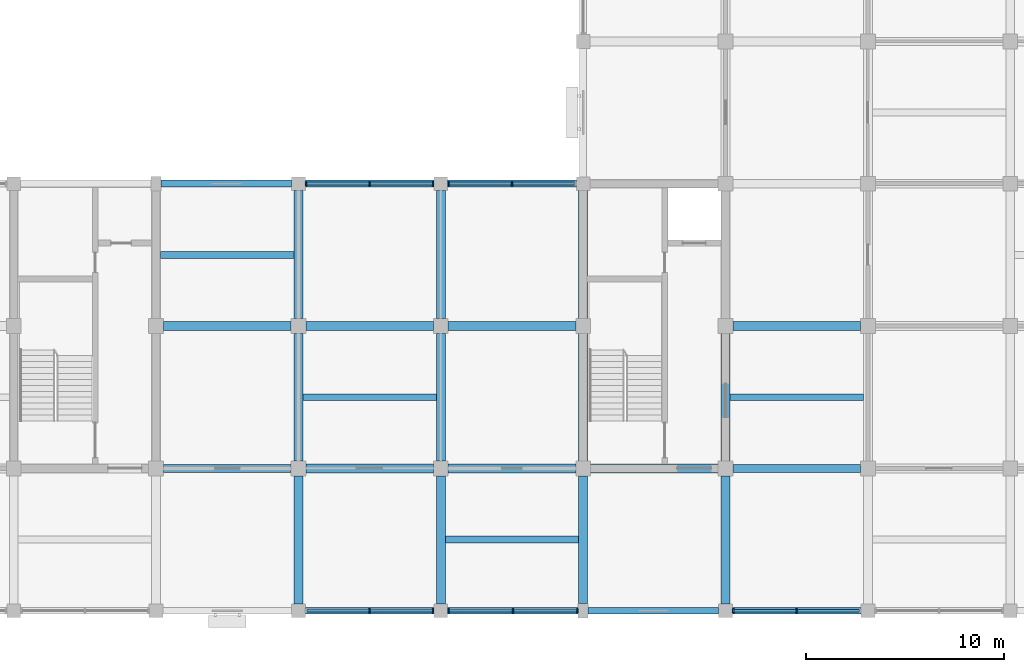
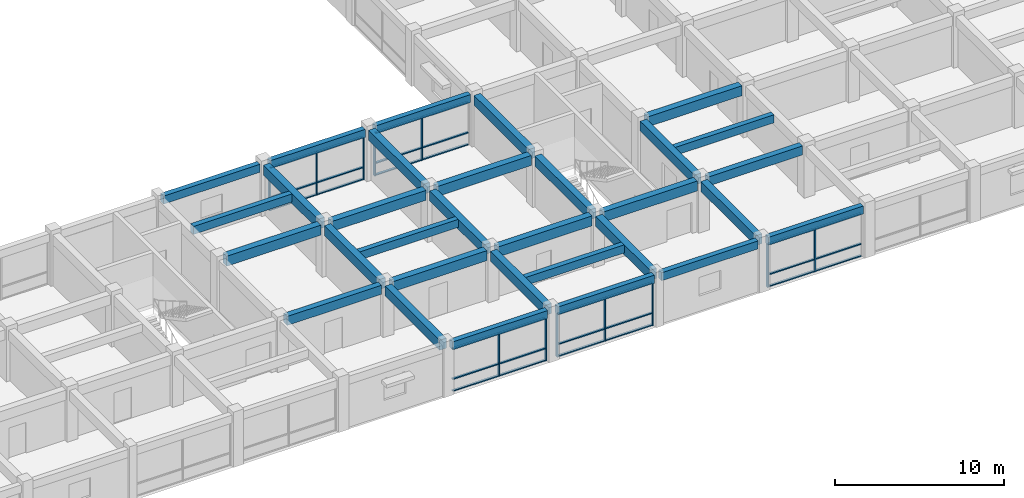
# One storey, part 4 of 25: 42 members, 31 beams, 5 elements without a shape of their own.
"""IFC4 building model written with IfcOpenShell, lengths in metres."""

from ifc_helpers import new_model, si_unit, direction, frame, origin, origin_2d, place, context, subcontext, project, spatial, rectangle, extrude, material, layer, layer_set, material_profile, profile_set, type_object, element, aggregate, save


model = new_model("IFC4")

# Units and contexts
model_context = context("Model", 3, precision=1e-05, world=origin(), true_north=direction((0.0, 1.0)))
body_context = subcontext(model_context, "Body", "Model", "MODEL_VIEW")
ifc_project = project(units=[si_unit("LENGTHUNIT", "METRE"), si_unit("AREAUNIT", "SQUARE_METRE"), si_unit("VOLUMEUNIT", "CUBIC_METRE"), si_unit("PLANEANGLEUNIT", "RADIAN"), si_unit("MASSUNIT", "GRAM", prefix="KILO")], contexts=[model_context])

# Site, building, storey
site_placement = place(None, origin())
site = spatial("IfcSite", under=ifc_project, at=site_placement, CompositionType="ELEMENT")
building_placement = place(site_placement, origin())
building = spatial("IfcBuilding", under=site, at=building_placement, Name="Cendaluz Park School", CompositionType="ELEMENT")
storey_placement = place(building_placement, frame((0.0, 0.0, 18.60009765625)))
storey = spatial("IfcBuildingStorey", under=building, at=storey_placement, Name="L04", CompositionType="ELEMENT", Elevation=18.60009765625)

# Beams
ifc_material_1 = material(Name="Concrete C40/50", Category="concrete")
ifc_material_profile_1 = material_profile(ifc_material_1, rectangle(XDim=0.449951171875, YDim=0.719970703125, at=origin_2d()), Name="RC 450x720", Category="concrete")
ifc_profile_set_1 = profile_set([ifc_material_profile_1], Name="Concrete C40/50")
beam_type_1 = type_object("IfcBeamType", Name="BM-RC02", PredefinedType="BEAM", material=ifc_profile_set_1)
beam_1_placement = place(storey_placement, frame((43.574951171875, 21.60009765625, 3.329833984375), z_axis=(1.0, 0.0, 0.0), x_axis=(0.0, 1.0, 0.0)))
element("IfcBeam", 1, at=beam_1_placement, inside=storey, type_object=beam_type_1, Name="BM-L04-BMRC02-0018", PredefinedType="BEAM", context=body_context, shape_type="SweptSolid", body=[
    extrude(rectangle(XDim=0.449951171875, YDim=0.719970703125, at=origin_2d()), origin(), (0.0, 0.0, 1.0), 6.449951171875),
])
for number, where, z_axis, x_axis, name in (
    (2, (50.77490234375, 14.39990234375, 3.329833984375), (1.0, 0.0, 0.0), (0.0, 1.0, 0.0), "BM-L04-BMRC02-0021"),
    (3, (50.77490234375, 21.60009765625, 3.329833984375), (1.0, 0.0, 0.0), (0.0, 1.0, 0.0), "BM-L04-BMRC02-0022"),
):
    element("IfcBeam", number, at=place(storey_placement, frame(where, z_axis=z_axis, x_axis=x_axis)), inside=storey, type_object=beam_type_1, Name=name, PredefinedType="BEAM", context=body_context, shape_type="SweptSolid", body=[
        extrude(rectangle(XDim=0.449951171875, YDim=0.719970703125, at=origin_2d()), origin(), (0.0, 0.0, 1.0), 6.4501953125),
    ])
for number, where, z_axis, x_axis, name in (
    (4, (57.97509765625, 14.39990234375, 3.329833984375), (1.0, 0.0, 0.0), (0.0, 1.0, 0.0), "BM-L04-BMRC02-0025"),
    (5, (57.97509765625, 21.60009765625, 3.329833984375), (1.0, 0.0, 0.0), (0.0, 1.0, 0.0), "BM-L04-BMRC02-0026"),
    (6, (65.175048828125, 14.39990234375, 3.329833984375), (1.0, 0.0, 0.0), (0.0, 1.0, 0.0), "BM-L04-BMRC02-0029"),
    (7, (72.375, 21.60009765625, 3.329833984375), (1.0, 0.0, 0.0), (0.0, 1.0, 0.0), "BM-L04-BMRC02-0038"),
):
    element("IfcBeam", number, at=place(storey_placement, frame(where, z_axis=z_axis, x_axis=x_axis)), inside=storey, type_object=beam_type_1, Name=name, PredefinedType="BEAM", context=body_context, shape_type="SweptSolid", body=[
        extrude(rectangle(XDim=0.449951171875, YDim=0.719970703125, at=origin_2d()), origin(), (0.0, 0.0, 1.0), 6.449951171875),
    ])
beam_2_placement = place(storey_placement, frame((50.39990234375, 7.550048828125, 3.329833984375), z_axis=(0.0, 1.0, 0.0), x_axis=(-1.0, 0.0, 0.0)))
element("IfcBeam", 8, at=beam_2_placement, inside=storey, type_object=beam_type_1, Name="BM-L04-BMRC02-0126", PredefinedType="BEAM", context=body_context, shape_type="SweptSolid", body=[
    extrude(rectangle(XDim=0.449951171875, YDim=0.719970703125, at=origin_2d()), origin(), (0.0, 0.0, 1.0), 6.474853515625),
])
beam_3_placement = place(storey_placement, frame((50.39990234375, 14.77490234375, 3.329833984375), z_axis=(0.0, 1.0, 0.0), x_axis=(-1.0, 0.0, 0.0)))
element("IfcBeam", 9, at=beam_3_placement, inside=storey, type_object=beam_type_1, Name="BM-L04-BMRC02-0127", PredefinedType="BEAM", context=body_context, shape_type="SweptSolid", body=[
    extrude(rectangle(XDim=0.449951171875, YDim=0.719970703125, at=origin_2d()), origin(), (0.0, 0.0, 1.0), 6.4501953125),
])
for number, where, z_axis, x_axis, name in (
    (10, (50.39990234375, 21.97509765625, 3.329833984375), (0.0, 1.0, 0.0), (-1.0, 0.0, 0.0), "BM-L04-BMRC02-0128"),
    (11, (57.60009765625, 7.550048828125, 3.329833984375), (0.0, 1.0, 0.0), (-1.0, 0.0, 0.0), "BM-L04-BMRC02-0129"),
):
    element("IfcBeam", number, at=place(storey_placement, frame(where, z_axis=z_axis, x_axis=x_axis)), inside=storey, type_object=beam_type_1, Name=name, PredefinedType="BEAM", context=body_context, shape_type="SweptSolid", body=[
        extrude(rectangle(XDim=0.449951171875, YDim=0.719970703125, at=origin_2d()), origin(), (0.0, 0.0, 1.0), 6.474853515625),
    ])
beam_4_placement = place(storey_placement, frame((57.60009765625, 14.77490234375, 3.329833984375), z_axis=(0.0, 1.0, 0.0), x_axis=(-1.0, 0.0, 0.0)))
element("IfcBeam", 12, at=beam_4_placement, inside=storey, type_object=beam_type_1, Name="BM-L04-BMRC02-0130", PredefinedType="BEAM", context=body_context, shape_type="SweptSolid", body=[
    extrude(rectangle(XDim=0.449951171875, YDim=0.719970703125, at=origin_2d()), origin(), (0.0, 0.0, 1.0), 6.4501953125),
])
beam_5_placement = place(storey_placement, frame((57.60009765625, 21.97509765625, 3.329833984375), z_axis=(0.0, 1.0, 0.0), x_axis=(-1.0, 0.0, 0.0)))
element("IfcBeam", 13, at=beam_5_placement, inside=storey, type_object=beam_type_1, Name="BM-L04-BMRC02-0131", PredefinedType="BEAM", context=body_context, shape_type="SweptSolid", body=[
    extrude(rectangle(XDim=0.449951171875, YDim=0.719970703125, at=origin_2d()), origin(), (0.0, 0.0, 1.0), 6.474853515625),
])
beam_6_placement = place(storey_placement, frame((64.800048828125, 7.574951171875, 3.329833984375), z_axis=(0.0, 1.0, 0.0), x_axis=(-1.0, 0.0, 0.0)))
element("IfcBeam", 14, at=beam_6_placement, inside=storey, type_object=beam_type_1, Name="BM-L04-BMRC02-0132", PredefinedType="BEAM", context=body_context, shape_type="SweptSolid", body=[
    extrude(rectangle(XDim=0.449951171875, YDim=0.719970703125, at=origin_2d()), origin(), (0.0, 0.0, 1.0), 6.449951171875),
])
beam_7_placement = place(storey_placement, frame((64.800048828125, 14.77490234375, 3.329833984375), z_axis=(0.0, 1.0, 0.0), x_axis=(-1.0, 0.0, 0.0)))
element("IfcBeam", 15, at=beam_7_placement, inside=storey, type_object=beam_type_1, Name="BM-L04-BMRC02-0133", PredefinedType="BEAM", context=body_context, shape_type="SweptSolid", body=[
    extrude(rectangle(XDim=0.449951171875, YDim=0.719970703125, at=origin_2d()), origin(), (0.0, 0.0, 1.0), 6.4501953125),
])
for number, where, z_axis, x_axis, name in (
    (16, (64.800048828125, 21.97509765625, 3.329833984375), (0.0, 1.0, 0.0), (-1.0, 0.0, 0.0), "BM-L04-BMRC02-0134"),
    (17, (72.0, 7.550048828125, 3.329833984375), (0.0, 1.0, 0.0), (-1.0, 0.0, 0.0), "BM-L04-BMRC02-0141"),
):
    element("IfcBeam", number, at=place(storey_placement, frame(where, z_axis=z_axis, x_axis=x_axis)), inside=storey, type_object=beam_type_1, Name=name, PredefinedType="BEAM", context=body_context, shape_type="SweptSolid", body=[
        extrude(rectangle(XDim=0.449951171875, YDim=0.719970703125, at=origin_2d()), origin(), (0.0, 0.0, 1.0), 6.474853515625),
    ])
beam_8_placement = place(storey_placement, frame((72.0, 14.77490234375, 3.329833984375), z_axis=(0.0, 1.0, 0.0), x_axis=(-1.0, 0.0, 0.0)))
element("IfcBeam", 18, at=beam_8_placement, inside=storey, type_object=beam_type_1, Name="BM-L04-BMRC02-0142", PredefinedType="BEAM", context=body_context, shape_type="SweptSolid", body=[
    extrude(rectangle(XDim=0.449951171875, YDim=0.719970703125, at=origin_2d()), origin(), (0.0, 0.0, 1.0), 6.4501953125),
])
ifc_material_profile_2 = material_profile(ifc_material_1, rectangle(XDim=0.39990234375, YDim=0.64990234375, at=origin_2d()), Name="RC 400x650", Category="concrete")
ifc_profile_set_2 = profile_set([ifc_material_profile_2], Name="Concrete C40/50")
beam_type_2 = type_object("IfcBeamType", Name="BM-RC03", PredefinedType="T_BEAM", material=ifc_profile_set_2)
for number, where, z_axis, x_axis, name in (
    (19, (43.574951171875, 14.39990234375, 3.364990234375), (1.0, 0.0, 0.0), (0.0, 1.0, 0.0), "BM-L04-BMRC03-0017"),
    (20, (72.375, 14.39990234375, 3.364990234375), (1.0, 0.0, 0.0), (0.0, 1.0, 0.0), "BM-L04-BMRC03-0037"),
):
    element("IfcBeam", number, at=place(storey_placement, frame(where, z_axis=z_axis, x_axis=x_axis)), inside=storey, type_object=beam_type_2, Name=name, PredefinedType="T_BEAM", context=body_context, shape_type="SweptSolid", body=[
        extrude(rectangle(XDim=0.39990234375, YDim=0.64990234375, at=origin_2d()), origin(), (0.0, 0.0, 1.0), 6.449951171875),
    ])
ifc_material_profile_3 = material_profile(ifc_material_1, rectangle(XDim=0.35009765625, YDim=0.580078125, at=origin_2d()), Name="RC 350x580", Category="concrete")
ifc_profile_set_3 = profile_set([ifc_material_profile_3], Name="Concrete C40/50")
beam_type_3 = type_object("IfcBeamType", Name="BM-RC04", PredefinedType="LINTEL", material=ifc_profile_set_3)
beam_9_placement = place(storey_placement, frame((43.449951171875, 28.800048828125, 3.39990234375), z_axis=(1.0, 0.0, 0.0), x_axis=(0.0, 1.0, 0.0)))
element("IfcBeam", 21, at=beam_9_placement, inside=storey, type_object=beam_type_3, Name="BM-L04-BMRC04-0019", PredefinedType="LINTEL", context=body_context, shape_type="SweptSolid", body=[
    extrude(rectangle(XDim=0.35009765625, YDim=0.580078125, at=origin_2d()), origin(), (0.0, 0.0, 1.0), 6.60009765625),
])
for number, where, z_axis, x_axis, name in (
    (22, (50.75, 7.199951171875, 3.39990234375), (1.0, 0.0, 0.0), (0.0, 1.0, 0.0), "BM-L04-BMRC04-0020"),
    (23, (50.75, 28.800048828125, 3.39990234375), (1.0, 0.0, 0.0), (0.0, 1.0, 0.0), "BM-L04-BMRC04-0023"),
):
    element("IfcBeam", number, at=place(storey_placement, frame(where, z_axis=z_axis, x_axis=x_axis)), inside=storey, type_object=beam_type_3, Name=name, PredefinedType="LINTEL", context=body_context, shape_type="SweptSolid", body=[
        extrude(rectangle(XDim=0.35009765625, YDim=0.580078125, at=origin_2d()), origin(), (0.0, 0.0, 1.0), 6.5),
    ])
beam_10_placement = place(storey_placement, frame((57.949951171875, 7.199951171875, 3.39990234375), z_axis=(1.0, 0.0, 0.0), x_axis=(0.0, 1.0, 0.0)))
element("IfcBeam", 24, at=beam_10_placement, inside=storey, type_object=beam_type_3, Name="BM-L04-BMRC04-0024", PredefinedType="LINTEL", context=body_context, shape_type="SweptSolid", body=[
    extrude(rectangle(XDim=0.35009765625, YDim=0.580078125, at=origin_2d()), origin(), (0.0, 0.0, 1.0), 6.60009765625),
])
beam_11_placement = place(storey_placement, frame((57.949951171875, 28.800048828125, 3.39990234375), z_axis=(1.0, 0.0, 0.0), x_axis=(0.0, 1.0, 0.0)))
element("IfcBeam", 25, at=beam_11_placement, inside=storey, type_object=beam_type_3, Name="BM-L04-BMRC04-0027", PredefinedType="LINTEL", context=body_context, shape_type="SweptSolid", body=[
    extrude(rectangle(XDim=0.35009765625, YDim=0.580078125, at=origin_2d()), origin(), (0.0, 0.0, 1.0), 6.5),
])
beam_12_placement = place(storey_placement, frame((65.050048828125, 7.199951171875, 3.39990234375), z_axis=(1.0, 0.0, 0.0), x_axis=(0.0, 1.0, 0.0)))
element("IfcBeam", 26, at=beam_12_placement, inside=storey, type_object=beam_type_3, Name="BM-L04-BMRC04-0028", PredefinedType="LINTEL", context=body_context, shape_type="SweptSolid", body=[
    extrude(rectangle(XDim=0.35009765625, YDim=0.580078125, at=origin_2d()), origin(), (0.0, 0.0, 1.0), 6.599853515625),
])
beam_13_placement = place(storey_placement, frame((72.35009765625, 7.199951171875, 3.39990234375), z_axis=(1.0, 0.0, 0.0), x_axis=(0.0, 1.0, 0.0)))
element("IfcBeam", 27, at=beam_13_placement, inside=storey, type_object=beam_type_3, Name="BM-L04-BMRC04-0036", PredefinedType="LINTEL", context=body_context, shape_type="SweptSolid", body=[
    extrude(rectangle(XDim=0.35009765625, YDim=0.580078125, at=origin_2d()), origin(), (0.0, 0.0, 1.0), 6.5),
])

# Curtain wall, members
ifc_material_2 = material(Name="Anodised Aluminium 6063-T6", Category="aluminium")
ifc_layer_1 = layer(ifc_material_2, 0.179931640625)
ifc_layer_set_1 = layer_set([ifc_layer_1], Name="Anodised Aluminium 6063-T6")
curtain_wall_type_1 = type_object("IfcCurtainWallType", Name="CW-130x62", PredefinedType="NOTDEFINED", material=ifc_layer_set_1)
curtain_wall_1_placement = place(storey_placement, origin())
curtain_wall_1 = element("IfcCurtainWall", 28, at=curtain_wall_1_placement, inside=storey, type_object=curtain_wall_type_1, Name="CW-L04-168", PredefinedType="NOTDEFINED")
ifc_material_profile_4 = material_profile(ifc_material_2, rectangle(XDim=0.199951171875, YDim=0.080078125, at=origin_2d()), Name="CWM 200x80", Category="aluminium")
ifc_profile_set_4 = profile_set([ifc_material_profile_4], Name="Anodised Aluminium 6063-T6")
member_type_1 = type_object("IfcMemberType", Name="CWM-02", PredefinedType="MULLION", material=ifc_profile_set_4)
member_1_placement = place(storey_placement, frame((54.0, 7.199951171875, 0.0), z_axis=(0.0, 0.0, 1.0), x_axis=(0.0, 1.0, 0.0)))
member_1 = element("IfcMember", 29, at=member_1_placement, type_object=member_type_1, Name="CP-L04-2173", PredefinedType="MULLION", context=body_context, shape_type="SweptSolid", body=[
    extrude(rectangle(XDim=0.199951171875, YDim=0.080078125, at=origin_2d()), origin(), (0.0, 0.0, 1.0), 3.10986328125),
])
member_2_placement = place(storey_placement, frame((57.2099609375, 7.199951171875, 0.0), z_axis=(0.0, 0.0, 1.0), x_axis=(0.0, 1.0, 0.0)))
member_2 = element("IfcMember", 30, at=member_2_placement, type_object=member_type_1, Name="CP-L04-2174", PredefinedType="MULLION", context=body_context, shape_type="SweptSolid", body=[
    extrude(rectangle(XDim=0.199951171875, YDim=0.080078125, at=origin_2d()), origin(), (0.0, 0.0, 1.0), 3.10986328125),
])

curtain_wall_2_placement = place(storey_placement, origin())
curtain_wall_2 = element("IfcCurtainWall", 31, at=curtain_wall_2_placement, inside=storey, type_object=curtain_wall_type_1, Name="CW-L04-169", PredefinedType="NOTDEFINED")
member_3_placement = place(storey_placement, frame((50.7900390625, 28.800048828125, 0.0), z_axis=(0.0, 0.0, 1.0), x_axis=(0.0, 1.0, 0.0)))
member_3 = element("IfcMember", 32, at=member_3_placement, type_object=member_type_1, Name="CP-L04-2185", PredefinedType="MULLION", context=body_context, shape_type="SweptSolid", body=[
    extrude(rectangle(XDim=0.199951171875, YDim=0.080078125, at=origin_2d()), origin(), (0.0, 0.0, 1.0), 3.10986328125),
])
member_4_placement = place(storey_placement, frame((54.0, 28.800048828125, 0.0), z_axis=(0.0, 0.0, 1.0), x_axis=(0.0, 1.0, 0.0)))
member_4 = element("IfcMember", 33, at=member_4_placement, type_object=member_type_1, Name="CP-L04-2186", PredefinedType="MULLION", context=body_context, shape_type="SweptSolid", body=[
    extrude(rectangle(XDim=0.199951171875, YDim=0.080078125, at=origin_2d()), origin(), (0.0, 0.0, 1.0), 3.10986328125),
])
member_5_placement = place(storey_placement, frame((57.2099609375, 28.800048828125, 0.0), z_axis=(0.0, 0.0, 1.0), x_axis=(0.0, 1.0, 0.0)))
member_5 = element("IfcMember", 34, at=member_5_placement, type_object=member_type_1, Name="CP-L04-2187", PredefinedType="MULLION", context=body_context, shape_type="SweptSolid", body=[
    extrude(rectangle(XDim=0.199951171875, YDim=0.080078125, at=origin_2d()), origin(), (0.0, 0.0, 1.0), 3.10986328125),
])

ifc_layer_2 = layer(ifc_material_2, 0.179931640625)
ifc_layer_set_2 = layer_set([ifc_layer_2], Name="Anodised Aluminium 6063-T6")
curtain_wall_type_2 = type_object("IfcCurtainWallType", Name="CW-132x62", PredefinedType="NOTDEFINED", material=ifc_layer_set_2)
curtain_wall_3_placement = place(storey_placement, origin())
curtain_wall_3 = element("IfcCurtainWall", 35, at=curtain_wall_3_placement, inside=storey, type_object=curtain_wall_type_2, Name="CW-L04-170", PredefinedType="NOTDEFINED")
member_6_placement = place(storey_placement, frame((57.989990234375, 7.199951171875, 0.0), z_axis=(0.0, 0.0, 1.0), x_axis=(0.0, 1.0, 0.0)))
member_6 = element("IfcMember", 36, at=member_6_placement, type_object=member_type_1, Name="CP-L04-2198", PredefinedType="MULLION", context=body_context, shape_type="SweptSolid", body=[
    extrude(rectangle(XDim=0.199951171875, YDim=0.080078125, at=origin_2d()), origin(), (0.0, 0.0, 1.0), 3.10986328125),
])
member_7_placement = place(storey_placement, frame((61.25, 7.199951171875, 0.0), z_axis=(0.0, 0.0, 1.0), x_axis=(0.0, 1.0, 0.0)))
member_7 = element("IfcMember", 37, at=member_7_placement, type_object=member_type_1, Name="CP-L04-2199", PredefinedType="MULLION", context=body_context, shape_type="SweptSolid", body=[
    extrude(rectangle(XDim=0.199951171875, YDim=0.080078125, at=origin_2d()), origin(), (0.0, 0.0, 1.0), 3.10986328125),
])
member_8_placement = place(storey_placement, frame((64.510009765625, 7.199951171875, 0.0), z_axis=(0.0, 0.0, 1.0), x_axis=(0.0, 1.0, 0.0)))
member_8 = element("IfcMember", 38, at=member_8_placement, type_object=member_type_1, Name="CP-L04-2200", PredefinedType="MULLION", context=body_context, shape_type="SweptSolid", body=[
    extrude(rectangle(XDim=0.199951171875, YDim=0.080078125, at=origin_2d()), origin(), (0.0, 0.0, 1.0), 3.10986328125),
])

curtain_wall_4_placement = place(storey_placement, origin())
curtain_wall_4 = element("IfcCurtainWall", 39, at=curtain_wall_4_placement, inside=storey, type_object=curtain_wall_type_1, Name="CW-L04-171", PredefinedType="NOTDEFINED")
member_9_placement = place(storey_placement, frame((57.989990234375, 28.800048828125, 0.0), z_axis=(0.0, 0.0, 1.0), x_axis=(0.0, 1.0, 0.0)))
member_9 = element("IfcMember", 40, at=member_9_placement, type_object=member_type_1, Name="CP-L04-2211", PredefinedType="MULLION", context=body_context, shape_type="SweptSolid", body=[
    extrude(rectangle(XDim=0.199951171875, YDim=0.080078125, at=origin_2d()), origin(), (0.0, 0.0, 1.0), 3.10986328125),
])
member_10_placement = place(storey_placement, frame((61.199951171875, 28.800048828125, 0.0), z_axis=(0.0, 0.0, 1.0), x_axis=(0.0, 1.0, 0.0)))
member_10 = element("IfcMember", 41, at=member_10_placement, type_object=member_type_1, Name="CP-L04-2212", PredefinedType="MULLION", context=body_context, shape_type="SweptSolid", body=[
    extrude(rectangle(XDim=0.199951171875, YDim=0.080078125, at=origin_2d()), origin(), (0.0, 0.0, 1.0), 3.10986328125),
])

curtain_wall_5_placement = place(storey_placement, origin())
curtain_wall_5 = element("IfcCurtainWall", 42, at=curtain_wall_5_placement, inside=storey, type_object=curtain_wall_type_1, Name="CW-L04-175", PredefinedType="NOTDEFINED")
member_11_placement = place(storey_placement, frame((72.389892578125, 7.199951171875, 0.0), z_axis=(0.0, 0.0, 1.0), x_axis=(0.0, 1.0, 0.0)))
member_11 = element("IfcMember", 43, at=member_11_placement, type_object=member_type_1, Name="CP-L04-2263", PredefinedType="MULLION", context=body_context, shape_type="SweptSolid", body=[
    extrude(rectangle(XDim=0.199951171875, YDim=0.080078125, at=origin_2d()), origin(), (0.0, 0.0, 1.0), 3.10986328125),
])
member_12_placement = place(storey_placement, frame((75.60009765625, 7.199951171875, 0.0), z_axis=(0.0, 0.0, 1.0), x_axis=(0.0, 1.0, 0.0)))
member_12 = element("IfcMember", 44, at=member_12_placement, type_object=member_type_1, Name="CP-L04-2264", PredefinedType="MULLION", context=body_context, shape_type="SweptSolid", body=[
    extrude(rectangle(XDim=0.199951171875, YDim=0.080078125, at=origin_2d()), origin(), (0.0, 0.0, 1.0), 3.10986328125),
])

# Member
ifc_material_profile_5 = material_profile(ifc_material_2, rectangle(XDim=0.14990234375, YDim=0.080078125, at=origin_2d()), Name="CWT 150x80", Category="aluminium")
ifc_profile_set_5 = profile_set([ifc_material_profile_5], Name="Anodised Aluminium 6063-T6")
member_type_2 = type_object("IfcMemberType", Name="CWT-02", PredefinedType="USERDEFINED", material=ifc_profile_set_5)
member_13_placement = place(storey_placement, frame((50.830078125, 7.199951171875, 0.039794921875), z_axis=(1.0, 0.0, 0.0), x_axis=(0.0, 1.0, 0.0)))
member_13 = element("IfcMember", 45, at=member_13_placement, type_object=member_type_2, Name="CP-L04-2175", ObjectType="TRANSOM", PredefinedType="USERDEFINED", context=body_context, shape_type="SweptSolid", body=[
    extrude(rectangle(XDim=0.14990234375, YDim=0.080078125, at=origin_2d()), origin(), (0.0, 0.0, 1.0), 3.1298828125),
])

member_14_placement = place(storey_placement, frame((50.830078125, 7.199951171875, 0.89990234375), z_axis=(1.0, 0.0, 0.0), x_axis=(0.0, 1.0, 0.0)))
member_14 = element("IfcMember", 46, at=member_14_placement, type_object=member_type_2, Name="CP-L04-2176", ObjectType="TRANSOM", PredefinedType="USERDEFINED", context=body_context, shape_type="SweptSolid", body=[
    extrude(rectangle(XDim=0.14990234375, YDim=0.080078125, at=origin_2d()), origin(), (0.0, 0.0, 1.0), 3.1298828125),
])

member_15_placement = place(storey_placement, frame((50.830078125, 7.199951171875, 3.06982421875), z_axis=(1.0, 0.0, 0.0), x_axis=(0.0, 1.0, 0.0)))
member_15 = element("IfcMember", 47, at=member_15_placement, type_object=member_type_2, Name="CP-L04-2177", ObjectType="TRANSOM", PredefinedType="USERDEFINED", context=body_context, shape_type="SweptSolid", body=[
    extrude(rectangle(XDim=0.14990234375, YDim=0.080078125, at=origin_2d()), origin(), (0.0, 0.0, 1.0), 3.1298828125),
])

member_16_placement = place(storey_placement, frame((54.0400390625, 7.199951171875, 0.039794921875), z_axis=(1.0, 0.0, 0.0), x_axis=(0.0, 1.0, 0.0)))
member_16 = element("IfcMember", 48, at=member_16_placement, type_object=member_type_2, Name="CP-L04-2180", ObjectType="TRANSOM", PredefinedType="USERDEFINED", context=body_context, shape_type="SweptSolid", body=[
    extrude(rectangle(XDim=0.14990234375, YDim=0.080078125, at=origin_2d()), origin(), (0.0, 0.0, 1.0), 3.1298828125),
])

member_17_placement = place(storey_placement, frame((54.0400390625, 7.199951171875, 0.89990234375), z_axis=(1.0, 0.0, 0.0), x_axis=(0.0, 1.0, 0.0)))
member_17 = element("IfcMember", 49, at=member_17_placement, type_object=member_type_2, Name="CP-L04-2181", ObjectType="TRANSOM", PredefinedType="USERDEFINED", context=body_context, shape_type="SweptSolid", body=[
    extrude(rectangle(XDim=0.14990234375, YDim=0.080078125, at=origin_2d()), origin(), (0.0, 0.0, 1.0), 3.1298828125),
])

member_18_placement = place(storey_placement, frame((54.0400390625, 7.199951171875, 3.06982421875), z_axis=(1.0, 0.0, 0.0), x_axis=(0.0, 1.0, 0.0)))
member_18 = element("IfcMember", 50, at=member_18_placement, type_object=member_type_2, Name="CP-L04-2182", ObjectType="TRANSOM", PredefinedType="USERDEFINED", context=body_context, shape_type="SweptSolid", body=[
    extrude(rectangle(XDim=0.14990234375, YDim=0.080078125, at=origin_2d()), origin(), (0.0, 0.0, 1.0), 3.1298828125),
])

aggregate(curtain_wall_1, [member_1, member_2, member_13, member_14, member_15, member_16, member_17, member_18])

member_19_placement = place(storey_placement, frame((50.830078125, 28.800048828125, 0.039794921875), z_axis=(1.0, 0.0, 0.0), x_axis=(0.0, 1.0, 0.0)))
member_19 = element("IfcMember", 51, at=member_19_placement, type_object=member_type_2, Name="CP-L04-2188", ObjectType="TRANSOM", PredefinedType="USERDEFINED", context=body_context, shape_type="SweptSolid", body=[
    extrude(rectangle(XDim=0.14990234375, YDim=0.080078125, at=origin_2d()), origin(), (0.0, 0.0, 1.0), 3.1298828125),
])

member_20_placement = place(storey_placement, frame((50.830078125, 28.800048828125, 0.89990234375), z_axis=(1.0, 0.0, 0.0), x_axis=(0.0, 1.0, 0.0)))
member_20 = element("IfcMember", 52, at=member_20_placement, type_object=member_type_2, Name="CP-L04-2189", ObjectType="TRANSOM", PredefinedType="USERDEFINED", context=body_context, shape_type="SweptSolid", body=[
    extrude(rectangle(XDim=0.14990234375, YDim=0.080078125, at=origin_2d()), origin(), (0.0, 0.0, 1.0), 3.1298828125),
])

member_21_placement = place(storey_placement, frame((50.830078125, 28.800048828125, 3.06982421875), z_axis=(1.0, 0.0, 0.0), x_axis=(0.0, 1.0, 0.0)))
member_21 = element("IfcMember", 53, at=member_21_placement, type_object=member_type_2, Name="CP-L04-2190", ObjectType="TRANSOM", PredefinedType="USERDEFINED", context=body_context, shape_type="SweptSolid", body=[
    extrude(rectangle(XDim=0.14990234375, YDim=0.080078125, at=origin_2d()), origin(), (0.0, 0.0, 1.0), 3.1298828125),
])

member_22_placement = place(storey_placement, frame((54.0400390625, 28.800048828125, 0.039794921875), z_axis=(1.0, 0.0, 0.0), x_axis=(0.0, 1.0, 0.0)))
member_22 = element("IfcMember", 54, at=member_22_placement, type_object=member_type_2, Name="CP-L04-2193", ObjectType="TRANSOM", PredefinedType="USERDEFINED", context=body_context, shape_type="SweptSolid", body=[
    extrude(rectangle(XDim=0.14990234375, YDim=0.080078125, at=origin_2d()), origin(), (0.0, 0.0, 1.0), 3.1298828125),
])

member_23_placement = place(storey_placement, frame((54.0400390625, 28.800048828125, 0.89990234375), z_axis=(1.0, 0.0, 0.0), x_axis=(0.0, 1.0, 0.0)))
member_23 = element("IfcMember", 55, at=member_23_placement, type_object=member_type_2, Name="CP-L04-2194", ObjectType="TRANSOM", PredefinedType="USERDEFINED", context=body_context, shape_type="SweptSolid", body=[
    extrude(rectangle(XDim=0.14990234375, YDim=0.080078125, at=origin_2d()), origin(), (0.0, 0.0, 1.0), 3.1298828125),
])

member_24_placement = place(storey_placement, frame((54.0400390625, 28.800048828125, 3.06982421875), z_axis=(1.0, 0.0, 0.0), x_axis=(0.0, 1.0, 0.0)))
member_24 = element("IfcMember", 56, at=member_24_placement, type_object=member_type_2, Name="CP-L04-2195", ObjectType="TRANSOM", PredefinedType="USERDEFINED", context=body_context, shape_type="SweptSolid", body=[
    extrude(rectangle(XDim=0.14990234375, YDim=0.080078125, at=origin_2d()), origin(), (0.0, 0.0, 1.0), 3.1298828125),
])

aggregate(curtain_wall_2, [member_3, member_4, member_5, member_19, member_20, member_21, member_22, member_23, member_24])

member_25_placement = place(storey_placement, frame((58.030029296875, 7.199951171875, 0.039794921875), z_axis=(1.0, 0.0, 0.0), x_axis=(0.0, 1.0, 0.0)))
member_25 = element("IfcMember", 57, at=member_25_placement, type_object=member_type_2, Name="CP-L04-2201", ObjectType="TRANSOM", PredefinedType="USERDEFINED", context=body_context, shape_type="SweptSolid", body=[
    extrude(rectangle(XDim=0.14990234375, YDim=0.080078125, at=origin_2d()), origin(), (0.0, 0.0, 1.0), 3.179931640625),
])

member_26_placement = place(storey_placement, frame((58.030029296875, 7.199951171875, 0.89990234375), z_axis=(1.0, 0.0, 0.0), x_axis=(0.0, 1.0, 0.0)))
member_26 = element("IfcMember", 58, at=member_26_placement, type_object=member_type_2, Name="CP-L04-2202", ObjectType="TRANSOM", PredefinedType="USERDEFINED", context=body_context, shape_type="SweptSolid", body=[
    extrude(rectangle(XDim=0.14990234375, YDim=0.080078125, at=origin_2d()), origin(), (0.0, 0.0, 1.0), 3.179931640625),
])

member_27_placement = place(storey_placement, frame((58.030029296875, 7.199951171875, 3.06982421875), z_axis=(1.0, 0.0, 0.0), x_axis=(0.0, 1.0, 0.0)))
member_27 = element("IfcMember", 59, at=member_27_placement, type_object=member_type_2, Name="CP-L04-2203", ObjectType="TRANSOM", PredefinedType="USERDEFINED", context=body_context, shape_type="SweptSolid", body=[
    extrude(rectangle(XDim=0.14990234375, YDim=0.080078125, at=origin_2d()), origin(), (0.0, 0.0, 1.0), 3.179931640625),
])

member_28_placement = place(storey_placement, frame((61.2900390625, 7.199951171875, 0.039794921875), z_axis=(1.0, 0.0, 0.0), x_axis=(0.0, 1.0, 0.0)))
member_28 = element("IfcMember", 60, at=member_28_placement, type_object=member_type_2, Name="CP-L04-2206", ObjectType="TRANSOM", PredefinedType="USERDEFINED", context=body_context, shape_type="SweptSolid", body=[
    extrude(rectangle(XDim=0.14990234375, YDim=0.080078125, at=origin_2d()), origin(), (0.0, 0.0, 1.0), 3.179931640625),
])

member_29_placement = place(storey_placement, frame((61.2900390625, 7.199951171875, 0.89990234375), z_axis=(1.0, 0.0, 0.0), x_axis=(0.0, 1.0, 0.0)))
member_29 = element("IfcMember", 61, at=member_29_placement, type_object=member_type_2, Name="CP-L04-2207", ObjectType="TRANSOM", PredefinedType="USERDEFINED", context=body_context, shape_type="SweptSolid", body=[
    extrude(rectangle(XDim=0.14990234375, YDim=0.080078125, at=origin_2d()), origin(), (0.0, 0.0, 1.0), 3.179931640625),
])

member_30_placement = place(storey_placement, frame((61.2900390625, 7.199951171875, 3.06982421875), z_axis=(1.0, 0.0, 0.0), x_axis=(0.0, 1.0, 0.0)))
member_30 = element("IfcMember", 62, at=member_30_placement, type_object=member_type_2, Name="CP-L04-2208", ObjectType="TRANSOM", PredefinedType="USERDEFINED", context=body_context, shape_type="SweptSolid", body=[
    extrude(rectangle(XDim=0.14990234375, YDim=0.080078125, at=origin_2d()), origin(), (0.0, 0.0, 1.0), 3.179931640625),
])

aggregate(curtain_wall_3, [member_6, member_7, member_8, member_25, member_26, member_27, member_28, member_29, member_30])

member_31_placement = place(storey_placement, frame((58.030029296875, 28.800048828125, 0.039794921875), z_axis=(1.0, 0.0, 0.0), x_axis=(0.0, 1.0, 0.0)))
member_31 = element("IfcMember", 63, at=member_31_placement, type_object=member_type_2, Name="CP-L04-2214", ObjectType="TRANSOM", PredefinedType="USERDEFINED", context=body_context, shape_type="SweptSolid", body=[
    extrude(rectangle(XDim=0.14990234375, YDim=0.080078125, at=origin_2d()), origin(), (0.0, 0.0, 1.0), 3.1298828125),
])

member_32_placement = place(storey_placement, frame((58.030029296875, 28.800048828125, 0.89990234375), z_axis=(1.0, 0.0, 0.0), x_axis=(0.0, 1.0, 0.0)))
member_32 = element("IfcMember", 64, at=member_32_placement, type_object=member_type_2, Name="CP-L04-2215", ObjectType="TRANSOM", PredefinedType="USERDEFINED", context=body_context, shape_type="SweptSolid", body=[
    extrude(rectangle(XDim=0.14990234375, YDim=0.080078125, at=origin_2d()), origin(), (0.0, 0.0, 1.0), 3.1298828125),
])

member_33_placement = place(storey_placement, frame((58.030029296875, 28.800048828125, 3.06982421875), z_axis=(1.0, 0.0, 0.0), x_axis=(0.0, 1.0, 0.0)))
member_33 = element("IfcMember", 65, at=member_33_placement, type_object=member_type_2, Name="CP-L04-2216", ObjectType="TRANSOM", PredefinedType="USERDEFINED", context=body_context, shape_type="SweptSolid", body=[
    extrude(rectangle(XDim=0.14990234375, YDim=0.080078125, at=origin_2d()), origin(), (0.0, 0.0, 1.0), 3.1298828125),
])

member_34_placement = place(storey_placement, frame((61.239990234375, 28.800048828125, 0.039794921875), z_axis=(1.0, 0.0, 0.0), x_axis=(0.0, 1.0, 0.0)))
member_34 = element("IfcMember", 66, at=member_34_placement, type_object=member_type_2, Name="CP-L04-2219", ObjectType="TRANSOM", PredefinedType="USERDEFINED", context=body_context, shape_type="SweptSolid", body=[
    extrude(rectangle(XDim=0.14990234375, YDim=0.080078125, at=origin_2d()), origin(), (0.0, 0.0, 1.0), 3.130126953125),
])

member_35_placement = place(storey_placement, frame((61.239990234375, 28.800048828125, 0.89990234375), z_axis=(1.0, 0.0, 0.0), x_axis=(0.0, 1.0, 0.0)))
member_35 = element("IfcMember", 67, at=member_35_placement, type_object=member_type_2, Name="CP-L04-2220", ObjectType="TRANSOM", PredefinedType="USERDEFINED", context=body_context, shape_type="SweptSolid", body=[
    extrude(rectangle(XDim=0.14990234375, YDim=0.080078125, at=origin_2d()), origin(), (0.0, 0.0, 1.0), 3.130126953125),
])

member_36_placement = place(storey_placement, frame((61.239990234375, 28.800048828125, 3.06982421875), z_axis=(1.0, 0.0, 0.0), x_axis=(0.0, 1.0, 0.0)))
member_36 = element("IfcMember", 68, at=member_36_placement, type_object=member_type_2, Name="CP-L04-2221", ObjectType="TRANSOM", PredefinedType="USERDEFINED", context=body_context, shape_type="SweptSolid", body=[
    extrude(rectangle(XDim=0.14990234375, YDim=0.080078125, at=origin_2d()), origin(), (0.0, 0.0, 1.0), 3.130126953125),
])

aggregate(curtain_wall_4, [member_9, member_10, member_31, member_32, member_33, member_34, member_35, member_36])

member_37_placement = place(storey_placement, frame((72.429931640625, 7.199951171875, 0.039794921875), z_axis=(1.0, 0.0, 0.0), x_axis=(0.0, 1.0, 0.0)))
member_37 = element("IfcMember", 69, at=member_37_placement, type_object=member_type_2, Name="CP-L04-2266", ObjectType="TRANSOM", PredefinedType="USERDEFINED", context=body_context, shape_type="SweptSolid", body=[
    extrude(rectangle(XDim=0.14990234375, YDim=0.080078125, at=origin_2d()), origin(), (0.0, 0.0, 1.0), 3.130126953125),
])

member_38_placement = place(storey_placement, frame((72.429931640625, 7.199951171875, 0.89990234375), z_axis=(1.0, 0.0, 0.0), x_axis=(0.0, 1.0, 0.0)))
member_38 = element("IfcMember", 70, at=member_38_placement, type_object=member_type_2, Name="CP-L04-2267", ObjectType="TRANSOM", PredefinedType="USERDEFINED", context=body_context, shape_type="SweptSolid", body=[
    extrude(rectangle(XDim=0.14990234375, YDim=0.080078125, at=origin_2d()), origin(), (0.0, 0.0, 1.0), 3.130126953125),
])

member_39_placement = place(storey_placement, frame((72.429931640625, 7.199951171875, 3.06982421875), z_axis=(1.0, 0.0, 0.0), x_axis=(0.0, 1.0, 0.0)))
member_39 = element("IfcMember", 71, at=member_39_placement, type_object=member_type_2, Name="CP-L04-2268", ObjectType="TRANSOM", PredefinedType="USERDEFINED", context=body_context, shape_type="SweptSolid", body=[
    extrude(rectangle(XDim=0.14990234375, YDim=0.080078125, at=origin_2d()), origin(), (0.0, 0.0, 1.0), 3.130126953125),
])

member_40_placement = place(storey_placement, frame((75.639892578125, 7.199951171875, 0.039794921875), z_axis=(1.0, 0.0, 0.0), x_axis=(0.0, 1.0, 0.0)))
member_40 = element("IfcMember", 72, at=member_40_placement, type_object=member_type_2, Name="CP-L04-2271", ObjectType="TRANSOM", PredefinedType="USERDEFINED", context=body_context, shape_type="SweptSolid", body=[
    extrude(rectangle(XDim=0.14990234375, YDim=0.080078125, at=origin_2d()), origin(), (0.0, 0.0, 1.0), 3.130126953125),
])

member_41_placement = place(storey_placement, frame((75.639892578125, 7.199951171875, 0.89990234375), z_axis=(1.0, 0.0, 0.0), x_axis=(0.0, 1.0, 0.0)))
member_41 = element("IfcMember", 73, at=member_41_placement, type_object=member_type_2, Name="CP-L04-2272", ObjectType="TRANSOM", PredefinedType="USERDEFINED", context=body_context, shape_type="SweptSolid", body=[
    extrude(rectangle(XDim=0.14990234375, YDim=0.080078125, at=origin_2d()), origin(), (0.0, 0.0, 1.0), 3.130126953125),
])

member_42_placement = place(storey_placement, frame((75.639892578125, 7.199951171875, 3.06982421875), z_axis=(1.0, 0.0, 0.0), x_axis=(0.0, 1.0, 0.0)))
member_42 = element("IfcMember", 74, at=member_42_placement, type_object=member_type_2, Name="CP-L04-2273", ObjectType="TRANSOM", PredefinedType="USERDEFINED", context=body_context, shape_type="SweptSolid", body=[
    extrude(rectangle(XDim=0.14990234375, YDim=0.080078125, at=origin_2d()), origin(), (0.0, 0.0, 1.0), 3.130126953125),
])

aggregate(curtain_wall_5, [member_11, member_12, member_37, member_38, member_39, member_40, member_41, member_42])

# Beams
ifc_material_profile_6 = material_profile(ifc_material_1, rectangle(XDim=0.35009765625, YDim=0.580078125, at=origin_2d()), Name="RC 350x580", Category="concrete")
ifc_profile_set_6 = profile_set([ifc_material_profile_6], Name="Concrete C40/50")
beam_type_4 = type_object("IfcBeamType", Name="JT-RC01", PredefinedType="JOIST", material=ifc_profile_set_6)
for number, where, z_axis, x_axis, name in (
    (75, (43.425048828125, 25.199951171875, 3.39990234375), (1.0, 0.0, 0.0), (0.0, 1.0, 0.0), "BM-L04-JTRC01-0220"),
    (76, (50.625, 18.0, 3.39990234375), (1.0, 0.0, 0.0), (0.0, 1.0, 0.0), "BM-L04-JTRC01-0221"),
    (77, (57.824951171875, 10.800048828125, 3.39990234375), (1.0, 0.0, 0.0), (0.0, 1.0, 0.0), "BM-L04-JTRC01-0222"),
    (78, (72.22509765625, 18.0, 3.39990234375), (1.0, 0.0, 0.0), (0.0, 1.0, 0.0), "BM-L04-JTRC01-0224"),
):
    element("IfcBeam", number, at=place(storey_placement, frame(where, z_axis=z_axis, x_axis=x_axis)), inside=storey, type_object=beam_type_4, Name=name, PredefinedType="JOIST", context=body_context, shape_type="SweptSolid", body=[
        extrude(rectangle(XDim=0.35009765625, YDim=0.580078125, at=origin_2d()), origin(), (0.0, 0.0, 1.0), 6.75),
    ])

save(model, "model.ifc")
